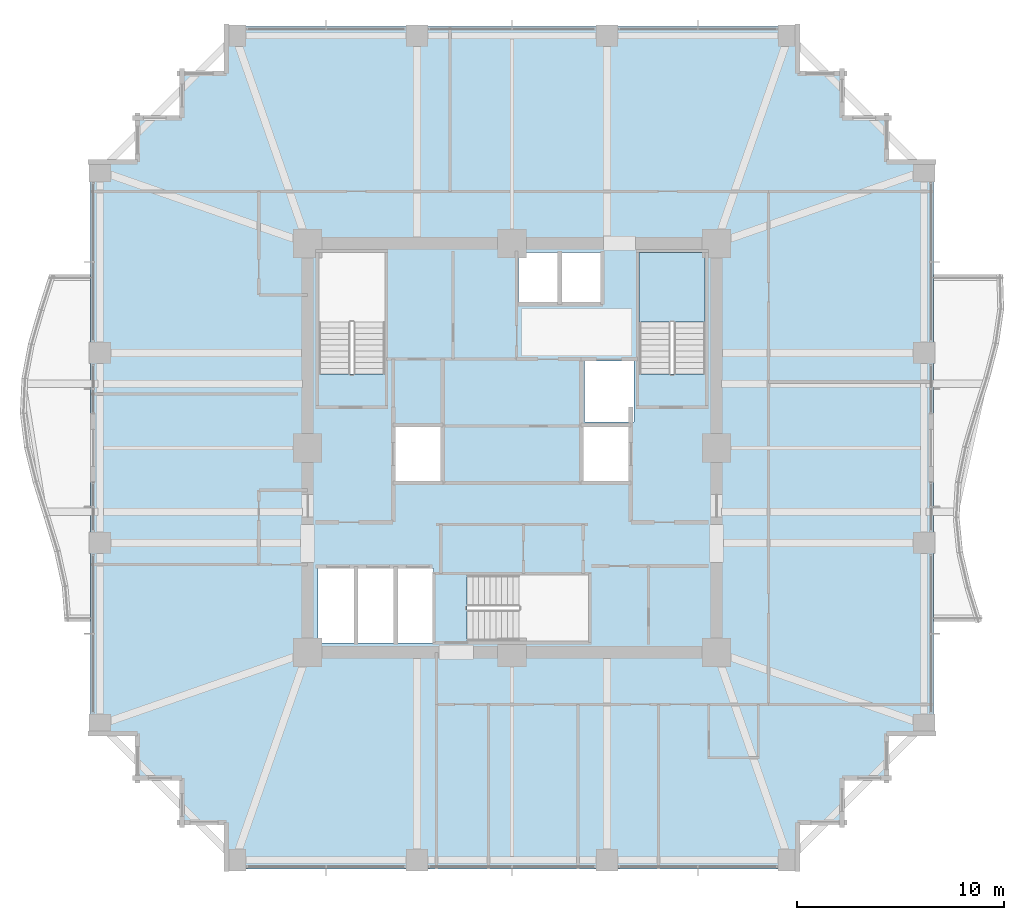
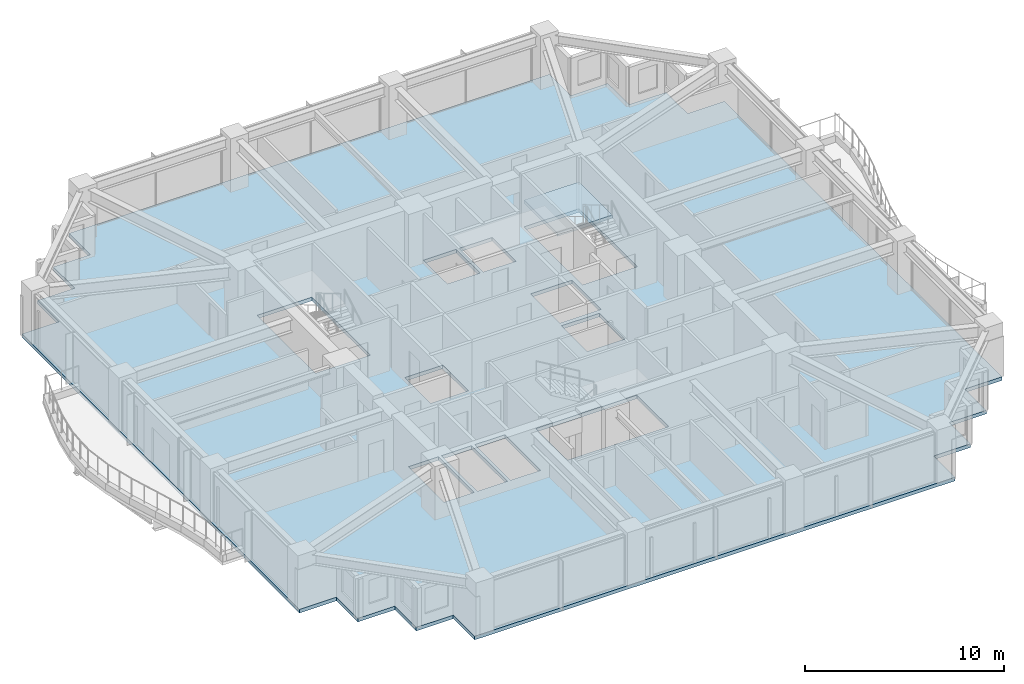
# One storey, part 27 of 36: 2 slabs, 1 element without a shape of its own.
"""IFC4 building model written with IfcOpenShell, lengths in metres."""

from ifc_helpers import new_model, si_unit, direction, frame, origin, place, context, subcontext, project, spatial, polyline, outline, extrude, material, layer, layer_set, type_object, element, aggregate, save


model = new_model("IFC4")

# Units and contexts
model_context = context("Model", 3, precision=1e-05, world=origin(), true_north=direction((0.0, 1.0)))
body_context = subcontext(model_context, "Body", "Model", "MODEL_VIEW")
ifc_project = project(units=[si_unit("LENGTHUNIT", "METRE"), si_unit("AREAUNIT", "SQUARE_METRE"), si_unit("VOLUMEUNIT", "CUBIC_METRE"), si_unit("PLANEANGLEUNIT", "RADIAN"), si_unit("MASSUNIT", "GRAM", prefix="KILO")], contexts=[model_context])

# Site, building, storey
site_placement = place(None, origin())
site = spatial("IfcSite", under=ifc_project, at=site_placement, CompositionType="ELEMENT")
building_placement = place(site_placement, origin())
building = spatial("IfcBuilding", under=site, at=building_placement, Name="Kolvaren Belvedere", CompositionType="ELEMENT")
storey_placement = place(building_placement, frame((0.0, 0.0, 88.699951171875)))
storey = spatial("IfcBuildingStorey", under=building, at=storey_placement, Name="L25", CompositionType="ELEMENT", Elevation=88.699951171875)

# Slab
ifc_material_1 = material(Name="Concrete C50/60", Category="concrete")
ifc_layer_1 = layer(ifc_material_1, 0.219970703125)
ifc_layer_set_1 = layer_set([ifc_layer_1], Name="Concrete C50/60")
slab_type_1 = type_object("IfcSlabType", Name="SL-FLR-220", PredefinedType="FLOOR", material=ifc_layer_set_1)
slab_1_placement = place(storey_placement, frame((0.0, 0.0, -0.219970703125)))
element("IfcSlab", 1, at=slab_1_placement, inside=storey, type_object=slab_type_1, Name="L25 Primary Structural Slab", PredefinedType="FLOOR", context=body_context, shape_type="SweptSolid", body=[
    extrude(outline(polyline([(-13.949951171875, -20.39990234375), (13.949951171875, -20.39990234375), (13.949951171875, -18.25), (16.10009765625, -18.25), (16.10009765625, -16.10009765625), (18.25, -16.10009765625), (18.25, -13.949951171875), (20.39990234375, -13.949951171875), (20.39990234375, 13.949951171875), (18.25, 13.949951171875), (18.25, 16.10009765625), (16.10009765625, 16.10009765625), (16.10009765625, 18.25), (13.949951171875, 18.25), (13.949951171875, 20.39990234375), (-13.949951171875, 20.39990234375), (-13.949951171875, 18.25), (-16.10009765625, 18.25), (-16.10009765625, 16.10009765625), (-18.25, 16.10009765625), (-18.25, 13.949951171875), (-20.39990234375, 13.949951171875), (-20.39990234375, -13.949951171875), (-18.25, -13.949951171875), (-18.25, -16.10009765625), (-16.10009765625, -16.10009765625), (-16.10009765625, -18.25), (-13.949951171875, -18.25), (-13.949951171875, -20.39990234375)]), holes=[polyline([(-9.35009765625, 3.580078125), (-6.159912109375, 3.580078125), (-6.159912109375, 9.449951171875), (-9.35009765625, 9.449951171875), (-9.35009765625, 3.580078125)]), polyline([(6.159912109375, 3.580078125), (9.35009765625, 3.580078125), (9.35009765625, 9.449951171875), (6.159912109375, 9.449951171875), (6.159912109375, 3.580078125)]), polyline([(-2.169921875, -9.35009765625), (3.699951171875, -9.35009765625), (3.699951171875, -6.159912109375), (-2.169921875, -6.159912109375), (-2.169921875, -9.35009765625)]), polyline([(-5.64990234375, -1.60009765625), (-3.449951171875, -1.60009765625), (-3.449951171875, 1.0), (-5.64990234375, 1.0), (-5.64990234375, -1.60009765625)]), polyline([(3.5, 1.25), (5.89990234375, 1.25), (5.89990234375, 4.199951171875), (3.5, 4.199951171875), (3.5, 1.25)]), polyline([(3.449951171875, -1.60009765625), (5.64990234375, -1.60009765625), (5.64990234375, 1.0), (3.449951171875, 1.0), (3.449951171875, -1.60009765625)]), polyline([(-9.39990234375, -9.449951171875), (-7.64990234375, -9.449951171875), (-7.64990234375, -5.85009765625), (-9.39990234375, -5.85009765625), (-9.39990234375, -9.449951171875)]), polyline([(-7.469970703125, -9.449951171875), (-5.719970703125, -9.449951171875), (-5.719970703125, -5.85009765625), (-7.469970703125, -5.85009765625), (-7.469970703125, -9.449951171875)]), polyline([(-5.5400390625, -9.449951171875), (-3.7900390625, -9.449951171875), (-3.7900390625, -5.85009765625), (-5.5400390625, -5.85009765625), (-5.5400390625, -9.449951171875)]), polyline([(0.320068359375, 7.050048828125), (2.219970703125, 7.050048828125), (2.219970703125, 9.449951171875), (0.320068359375, 9.449951171875), (0.320068359375, 7.050048828125)]), polyline([(2.39990234375, 7.050048828125), (4.300048828125, 7.050048828125), (4.300048828125, 9.449951171875), (2.39990234375, 9.449951171875), (2.39990234375, 7.050048828125)])]), origin(), (0.0, 0.0, 1.0), 0.219970703125),
])

# Stair, slab
ifc_material_2 = material(Name="Concrete C50/60", Category="concrete")
stair_type = type_object("IfcStairType", Name="ST-CORE-1520", PredefinedType="HALF_TURN_STAIR", material=ifc_material_2)
stair_placement = place(storey_placement, origin())
stair = element("IfcStair", 2, at=stair_placement, inside=storey, type_object=stair_type, Name="L25 Protected Exit Stair ST-2", PredefinedType="HALF_TURN_STAIR")
ifc_material_3 = material(Name="Concrete C50/60", Category="concrete")
ifc_layer_2 = layer(ifc_material_3, 0.260009765625)
ifc_layer_set_2 = layer_set([ifc_layer_2], Name="Concrete C50/60")
slab_type_2 = type_object("IfcSlabType", Name="SL-LAND-260", PredefinedType="LANDING", material=ifc_layer_set_2)
slab_2_placement = place(storey_placement, frame((0.0, 0.0, 1.449951171875)))
slab_2 = element("IfcSlab", 3, at=slab_2_placement, type_object=slab_type_2, Name="ST-2 landing 1", PredefinedType="LANDING", context=body_context, shape_type="SweptSolid", body=[
    extrude(outline(polyline([(9.35009765625, 6.090087890625), (9.35009765625, 9.449951171875), (6.159912109375, 9.449951171875), (6.159912109375, 6.090087890625), (9.35009765625, 6.090087890625)])), origin(), (0.0, 0.0, 1.0), 0.2001953125),
])
aggregate(stair, [slab_2])

save(model, "model.ifc")
